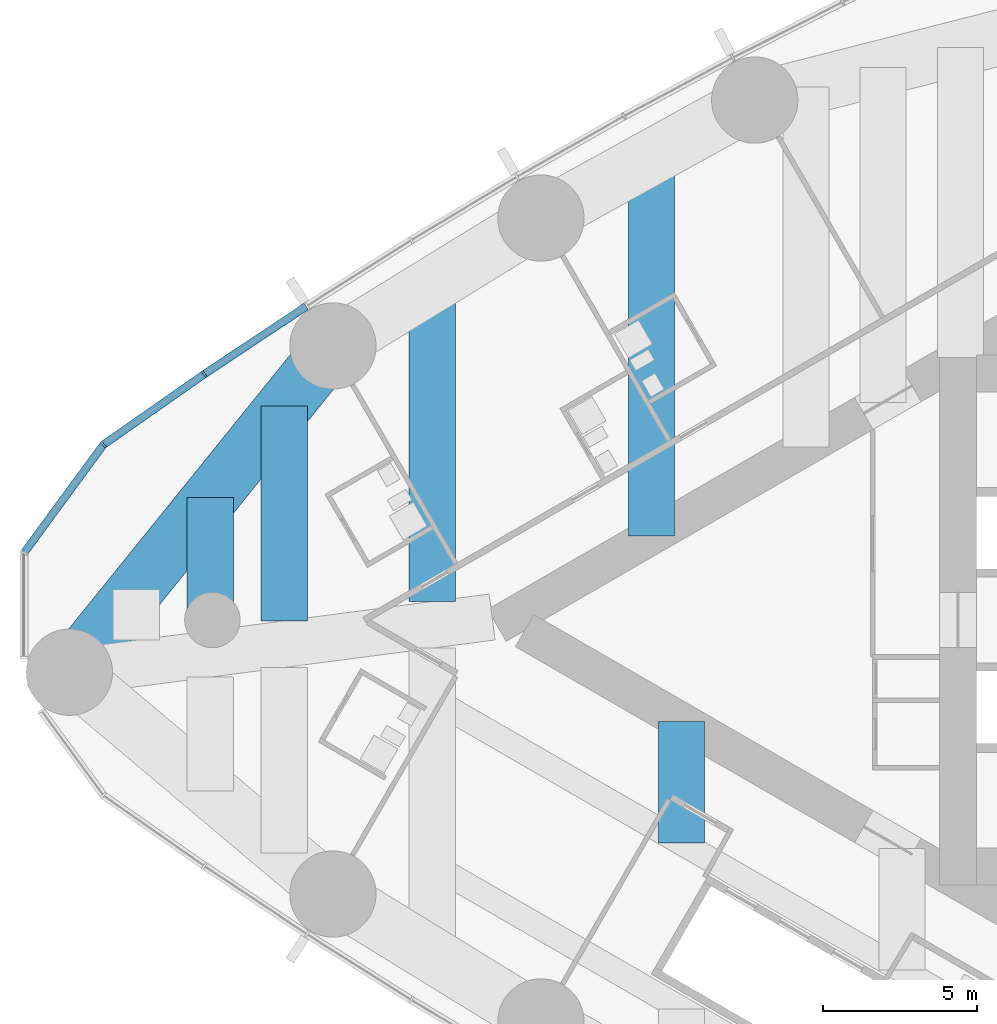
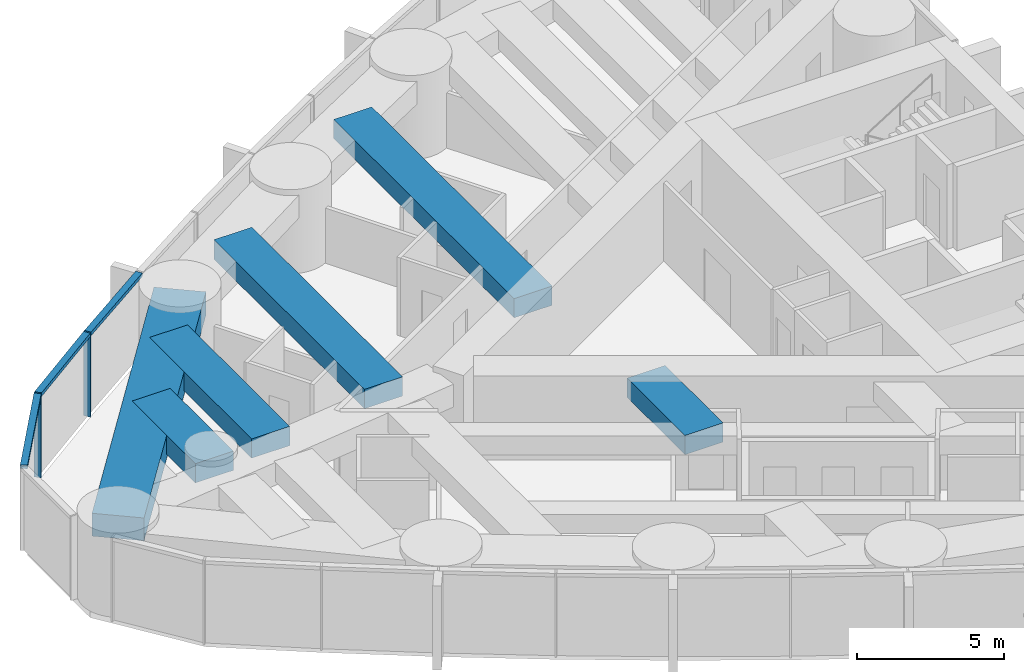
# One storey, part 3 of 19: 6 beams, 5 members, 1 element without a shape of its own.
"""IFC4 building model written with IfcOpenShell, lengths in metres."""

from ifc_helpers import new_model, si_unit, direction, frame, origin, origin_2d, place, context, subcontext, project, spatial, rectangle, extrude, material, material_profile, profile_set, type_object, element, aggregate, save


model = new_model("IFC4")

# Units and contexts
model_context = context("Model", 3, precision=1e-05, world=origin(), true_north=direction((0.0, 1.0)))
body_context = subcontext(model_context, "Body", "Model", "MODEL_VIEW")
ifc_project = project(units=[si_unit("LENGTHUNIT", "METRE"), si_unit("AREAUNIT", "SQUARE_METRE"), si_unit("VOLUMEUNIT", "CUBIC_METRE"), si_unit("PLANEANGLEUNIT", "RADIAN"), si_unit("MASSUNIT", "GRAM", prefix="KILO")], contexts=[model_context])

# Site, building, storey
site_placement = place(None, origin())
site = spatial("IfcSite", under=ifc_project, at=site_placement, CompositionType="ELEMENT")
building_placement = place(site_placement, origin())
building = spatial("IfcBuilding", under=site, at=building_placement, Name="Lancet Gate Hotel", CompositionType="ELEMENT")
storey_placement = place(building_placement, frame((0.0, 0.0, 177.300048828125)))
storey = spatial("IfcBuildingStorey", under=building, at=storey_placement, Name="L47", CompositionType="ELEMENT", Elevation=177.300048828125)

# Curtain wall, members
ifc_material_1 = material(Name="Aluminium curtain wall", Category="aluminium")
curtain_wall_type = type_object("IfcCurtainWallType", Name="Tower unitised curtain wall", PredefinedType="USERDEFINED", material=ifc_material_1)
curtain_wall_placement = place(storey_placement, origin())
curtain_wall = element("IfcCurtainWall", 1, at=curtain_wall_placement, inside=storey, type_object=curtain_wall_type, Name="T1 L47 curtain wall 2", ObjectType="UNITISED CURTAIN WALL", PredefinedType="USERDEFINED")
ifc_material_2 = material(Name="Aluminium mullion", Category="aluminium")
ifc_material_profile_1 = material_profile(ifc_material_2, rectangle(XDim=0.06494140625, YDim=0.25, at=origin_2d()), Name="MULLION 65x250")
ifc_profile_set_1 = profile_set([ifc_material_profile_1], Name="Aluminium mullion")
member_type_1 = type_object("IfcMemberType", Name="Aluminium mullion 65x250", PredefinedType="MULLION", material=ifc_profile_set_1)
member_1_placement = place(storey_placement, frame((-61.7626953125, 7.980712890625, 0.0), z_axis=(0.0, 0.0, 1.0), x_axis=(-0.826312172542, -0.563212387568, 0.0)))
member_1 = element("IfcMember", 2, at=member_1_placement, type_object=member_type_1, Name="T1 L47 curtain wall 2 mullion 10", PredefinedType="MULLION", context=body_context, shape_type="SweptSolid", body=[
    extrude(rectangle(XDim=0.06494140625, YDim=0.25, at=origin_2d()), origin(), (0.0, 0.0, 1.0), 3.5),
])
member_2_placement = place(storey_placement, frame((-65.040283203125, 5.68994140625, 0.0), z_axis=(0.0, 0.0, 1.0), x_axis=(-0.710112861968, -0.704087866155, 0.0)))
member_2 = element("IfcMember", 3, at=member_2_placement, type_object=member_type_1, Name="T1 L47 curtain wall 2 mullion 11", PredefinedType="MULLION", context=body_context, shape_type="SweptSolid", body=[
    extrude(rectangle(XDim=0.06494140625, YDim=0.25, at=origin_2d()), origin(), (0.0, 0.0, 1.0), 3.5),
])
ifc_material_3 = material(Name="Aluminium transom", Category="aluminium")
ifc_material_profile_2 = material_profile(ifc_material_3, rectangle(XDim=0.25, YDim=0.14990234375, at=origin_2d()), Name="TRANSOM 250x150")
ifc_profile_set_2 = profile_set([ifc_material_profile_2], Name="Aluminium transom")
member_type_2 = type_object("IfcMemberType", Name="Aluminium transom 250x150", PredefinedType="USERDEFINED", material=ifc_profile_set_2)
member_3_placement = place(storey_placement, frame((-58.459228515625, 10.176025390625, 3.425048828125), z_axis=(-0.832870509189, -0.553467898729, 0.0), x_axis=(0.553467898729, -0.832870509189, 0.0)))
member_3 = element("IfcMember", 4, at=member_3_placement, type_object=member_type_2, Name="T1 L47 curtain wall 2 transom 9", ObjectType="TRANSOM", PredefinedType="USERDEFINED", context=body_context, shape_type="SweptSolid", body=[
    extrude(rectangle(XDim=0.25, YDim=0.14990234375, at=origin_2d()), origin(), (0.0, 0.0, 1.0), 3.933837890625),
])
member_4_placement = place(storey_placement, frame((-61.789306640625, 7.962158203125, 3.425048828125), z_axis=(-0.819636985462, -0.572883244704, 0.0), x_axis=(0.572883244704, -0.819636985462, 0.0)))
member_4 = element("IfcMember", 5, at=member_4_placement, type_object=member_type_2, Name="T1 L47 curtain wall 2 transom 10", ObjectType="TRANSOM", PredefinedType="USERDEFINED", context=body_context, shape_type="SweptSolid", body=[
    extrude(rectangle(XDim=0.25, YDim=0.14990234375, at=origin_2d()), origin(), (0.0, 0.0, 1.0), 3.933837890625),
])
member_5_placement = place(storey_placement, frame((-65.0595703125, 5.66357421875, 3.425048828125), z_axis=(-0.591324189618, -0.806433941977, 0.0), x_axis=(0.806433941977, -0.591324189618, 0.0)))
member_5 = element("IfcMember", 6, at=member_5_placement, type_object=member_type_2, Name="T1 L47 curtain wall 2 transom 11", ObjectType="TRANSOM", PredefinedType="USERDEFINED", context=body_context, shape_type="SweptSolid", body=[
    extrude(rectangle(XDim=0.25, YDim=0.14990234375, at=origin_2d()), origin(), (0.0, 0.0, 1.0), 4.2900390625),
])
aggregate(curtain_wall, [member_1, member_2, member_3, member_4, member_5])

# Beams
ifc_material_4 = material(Name="Concrete C50/60", Category="concrete")
ifc_material_profile_3 = material_profile(ifc_material_4, rectangle(XDim=1.800048828125, YDim=0.949951171875, at=origin_2d()), Name="RC 1800x950")
ifc_profile_set_3 = profile_set([ifc_material_profile_3], Name="Concrete C50/60")
beam_type_1 = type_object("IfcBeamType", Name="Edge beam RC 1800x950", PredefinedType="SPANDREL", material=ifc_profile_set_3)
beam_1_placement = place(storey_placement, frame((-57.589599609375, 8.89306640625, 2.77490234375), z_axis=(-0.628373846765, -0.777911504416, 0.0), x_axis=(0.777911504416, -0.628373846765, 0.0)))
element("IfcBeam", 7, at=beam_1_placement, inside=storey, type_object=beam_type_1, Name="T1 edge beam EB1 L47", PredefinedType="SPANDREL", context=body_context, shape_type="SweptSolid", body=[
    extrude(rectangle(XDim=1.800048828125, YDim=0.949951171875, at=origin_2d()), origin(), (0.0, 0.0, 1.0), 13.611328125),
])
ifc_material_5 = material(Name="Concrete C50/60", Category="concrete")
ifc_material_profile_4 = material_profile(ifc_material_5, rectangle(XDim=1.5, YDim=0.800048828125, at=origin_2d()), Name="RC 1500x800")
ifc_profile_set_4 = profile_set([ifc_material_profile_4], Name="Concrete C50/60")
beam_type_2 = type_object("IfcBeamType", Name="Floor beam RC 1500x800", PredefinedType="BEAM", material=ifc_profile_set_4)
beam_2_placement = place(storey_placement, frame((-47.254638671875, 15.020751953125, 2.849853515625), z_axis=(0.0, -1.0, 0.0), x_axis=(1.0, 0.0, 0.0)))
element("IfcBeam", 8, at=beam_2_placement, inside=storey, type_object=beam_type_2, Name="T1 floor beam F09S L47", PredefinedType="BEAM", context=body_context, shape_type="SweptSolid", body=[
    extrude(rectangle(XDim=1.5, YDim=0.800048828125, at=origin_2d()), origin(), (0.0, 0.0, 1.0), 12.29931640625),
])
beam_3_placement = place(storey_placement, frame((-54.3681640625, 10.87353515625, 2.849853515625), z_axis=(0.0, -1.0, 0.0), x_axis=(1.0, 0.0, 0.0)))
element("IfcBeam", 9, at=beam_3_placement, inside=storey, type_object=beam_type_2, Name="T1 floor beam F10S L47", PredefinedType="BEAM", context=body_context, shape_type="SweptSolid", body=[
    extrude(rectangle(XDim=1.5, YDim=0.800048828125, at=origin_2d()), origin(), (0.0, 0.0, 1.0), 10.27392578125),
])
beam_4_placement = place(storey_placement, frame((-59.168212890625, 6.938720703125, 2.849853515625), z_axis=(0.0, -1.0, 0.0), x_axis=(1.0, 0.0, 0.0)))
element("IfcBeam", 10, at=beam_4_placement, inside=storey, type_object=beam_type_2, Name="T1 floor beam F12S L47", PredefinedType="BEAM", context=body_context, shape_type="SweptSolid", body=[
    extrude(rectangle(XDim=1.5, YDim=0.800048828125, at=origin_2d()), origin(), (0.0, 0.0, 1.0), 6.96630859375),
])
beam_5_placement = place(storey_placement, frame((-61.568359375, 3.967529296875, 2.849853515625), z_axis=(0.0, -1.0, 0.0), x_axis=(1.0, 0.0, 0.0)))
element("IfcBeam", 11, at=beam_5_placement, inside=storey, type_object=beam_type_2, Name="T1 floor beam F14S L47", PredefinedType="BEAM", context=body_context, shape_type="SweptSolid", body=[
    extrude(rectangle(XDim=1.5, YDim=0.800048828125, at=origin_2d()), origin(), (0.0, 0.0, 1.0), 4.308837890625),
])
beam_6_placement = place(storey_placement, frame((-46.27587890625, -3.28662109375, 2.849853515625), z_axis=(0.0, -1.0, 0.0), x_axis=(1.0, 0.0, 0.0)))
element("IfcBeam", 12, at=beam_6_placement, inside=storey, type_object=beam_type_2, Name="T1 floor beam F08NA L47", PredefinedType="BEAM", context=body_context, shape_type="SweptSolid", body=[
    extrude(rectangle(XDim=1.5, YDim=0.800048828125, at=origin_2d()), origin(), (0.0, 0.0, 1.0), 3.945556640625),
])

save(model, "model.ifc")
